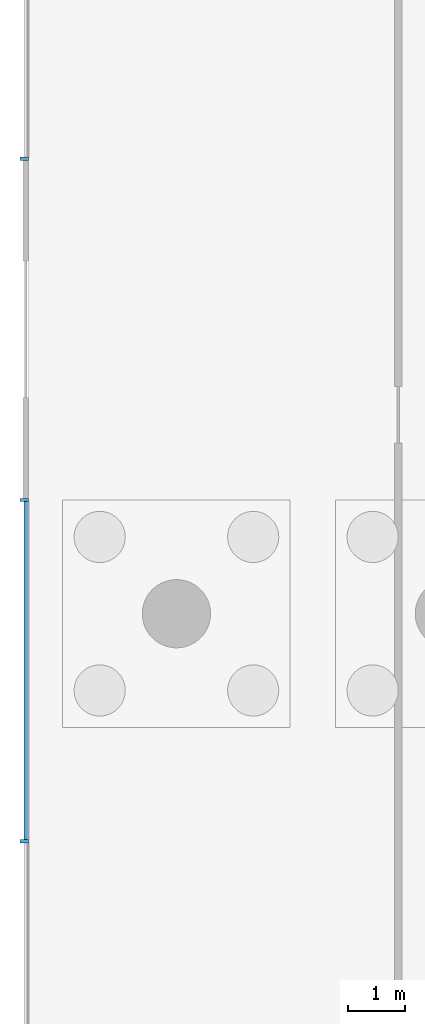
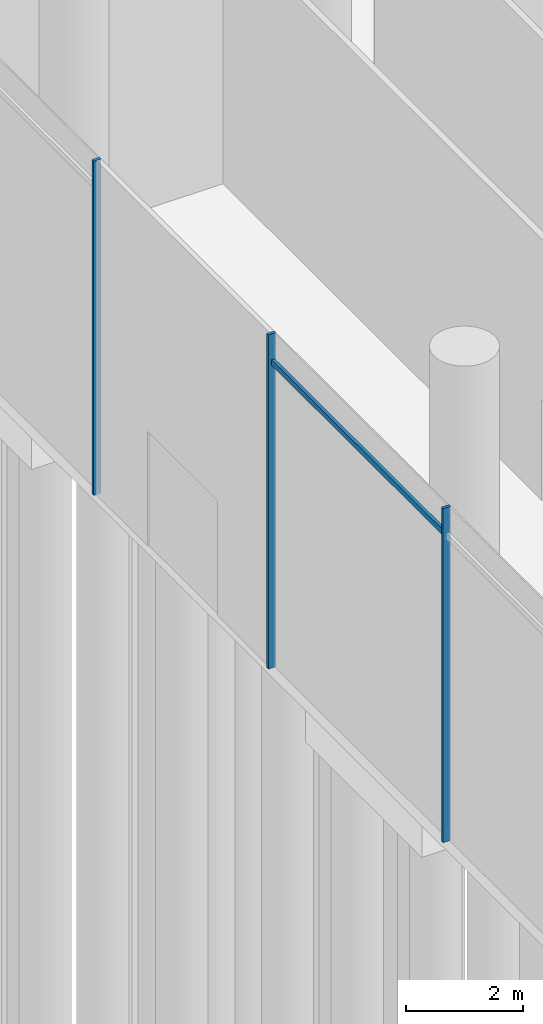
# One storey, part 6 of 41: 4 members, 1 element without a shape of its own.
"""IFC4 building model written with IfcOpenShell, lengths in metres."""

from ifc_helpers import new_model, si_unit, direction, frame, origin, origin_2d, place, context, subcontext, project, spatial, rectangle, extrude, material, material_profile, profile_set, type_object, element, aggregate, save


model = new_model("IFC4")

# Units and contexts
model_context = context("Model", 3, precision=1e-05, world=origin(), true_north=direction((0.0, 1.0)))
body_context = subcontext(model_context, "Body", "Model", "MODEL_VIEW")
ifc_project = project(units=[si_unit("LENGTHUNIT", "METRE"), si_unit("AREAUNIT", "SQUARE_METRE"), si_unit("VOLUMEUNIT", "CUBIC_METRE"), si_unit("PLANEANGLEUNIT", "RADIAN"), si_unit("MASSUNIT", "GRAM", prefix="KILO")], contexts=[model_context])

# Site, building, storey
site_placement = place(None, origin())
site = spatial("IfcSite", under=ifc_project, at=site_placement, CompositionType="ELEMENT")
building_placement = place(site_placement, origin())
building = spatial("IfcBuilding", under=site, at=building_placement, Name="Rimbun Link Towers", CompositionType="ELEMENT")
storey_placement = place(building_placement, origin())
storey = spatial("IfcBuildingStorey", under=building, at=storey_placement, Name="L00", CompositionType="ELEMENT", Elevation=0.0)

# Curtain wall, members
ifc_material_1 = material(Name="Aluminium 6063-T6 and low-iron glass", Category="aluminium")
curtain_wall_type = type_object("IfcCurtainWallType", Name="CW3 podium shopfront", PredefinedType="NOTDEFINED", material=ifc_material_1)
curtain_wall_placement = place(storey_placement, origin())
curtain_wall = element("IfcCurtainWall", 1, at=curtain_wall_placement, inside=storey, type_object=curtain_wall_type, Name="CW3 L00 PD", PredefinedType="NOTDEFINED")
ifc_material_2 = material(Name="Aluminium 6063-T6", Category="aluminium")
ifc_material_profile_1 = material_profile(ifc_material_2, rectangle(XDim=0.14990234375, YDim=0.06005859375, at=origin_2d()), Name="MULLION 60X150")
ifc_profile_set_1 = profile_set([ifc_material_profile_1], Name="Aluminium 6063-T6")
member_type_1 = type_object("IfcMemberType", Name="CW3 mullion 60X150", PredefinedType="MULLION", material=ifc_profile_set_1)
member_1_placement = place(storey_placement, frame((-62.074951171875, -18.0, 0.0), z_axis=(0.0, 0.0, 1.0), x_axis=(-1.0, 0.0, 0.0)))
member_1 = element("IfcMember", 2, at=member_1_placement, type_object=member_type_1, Name="CW3 mullion", PredefinedType="MULLION", context=body_context, shape_type="SweptSolid", body=[
    extrude(rectangle(XDim=0.14990234375, YDim=0.06005859375, at=origin_2d()), origin(), (0.0, 0.0, 1.0), 7.0),
])
member_2_placement = place(storey_placement, frame((-62.074951171875, -24.0, 0.0), z_axis=(0.0, 0.0, 1.0), x_axis=(-1.0, 0.0, 0.0)))
member_2 = element("IfcMember", 3, at=member_2_placement, type_object=member_type_1, Name="CW3 mullion", PredefinedType="MULLION", context=body_context, shape_type="SweptSolid", body=[
    extrude(rectangle(XDim=0.14990234375, YDim=0.06005859375, at=origin_2d()), origin(), (0.0, 0.0, 1.0), 7.0),
])
member_3_placement = place(storey_placement, frame((-62.074951171875, -30.0, 0.0), z_axis=(0.0, 0.0, 1.0), x_axis=(-1.0, 0.0, 0.0)))
member_3 = element("IfcMember", 4, at=member_3_placement, type_object=member_type_1, Name="CW3 mullion", PredefinedType="MULLION", context=body_context, shape_type="SweptSolid", body=[
    extrude(rectangle(XDim=0.14990234375, YDim=0.06005859375, at=origin_2d()), origin(), (0.0, 0.0, 1.0), 7.0),
])
ifc_material_3 = material(Name="Aluminium 6063-T6", Category="aluminium")
ifc_material_profile_2 = material_profile(ifc_material_3, rectangle(XDim=0.06005859375, YDim=0.1201171875, at=origin_2d()), Name="TRANSOM 60X120")
ifc_profile_set_2 = profile_set([ifc_material_profile_2], Name="Aluminium 6063-T6")
member_type_2 = type_object("IfcMemberType", Name="CW3 transom 60X120", PredefinedType="USERDEFINED", material=ifc_profile_set_2)
member_4_placement = place(storey_placement, frame((-62.053955078125, -29.969970703125, 6.39990234375), z_axis=(0.0, 1.0, 0.0), x_axis=(-1.0, 0.0, 0.0)))
member_4 = element("IfcMember", 5, at=member_4_placement, type_object=member_type_2, Name="CW3 transom", ObjectType="TRANSOM", PredefinedType="USERDEFINED", context=body_context, shape_type="SweptSolid", body=[
    extrude(rectangle(XDim=0.06005859375, YDim=0.1201171875, at=origin_2d()), origin(), (0.0, 0.0, 1.0), 5.93994140625),
])
aggregate(curtain_wall, [member_1, member_2, member_3, member_4])

save(model, "model.ifc")
